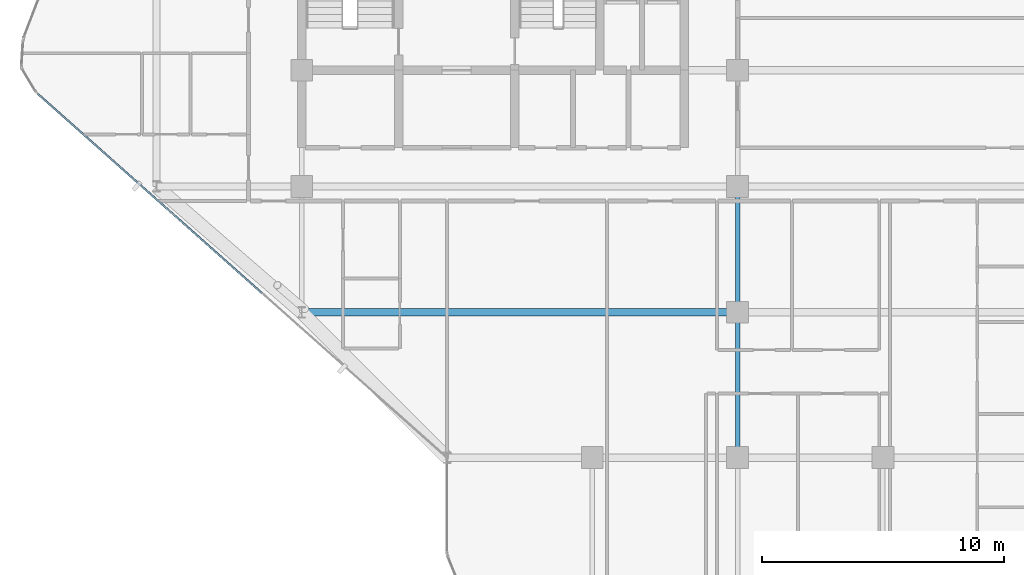
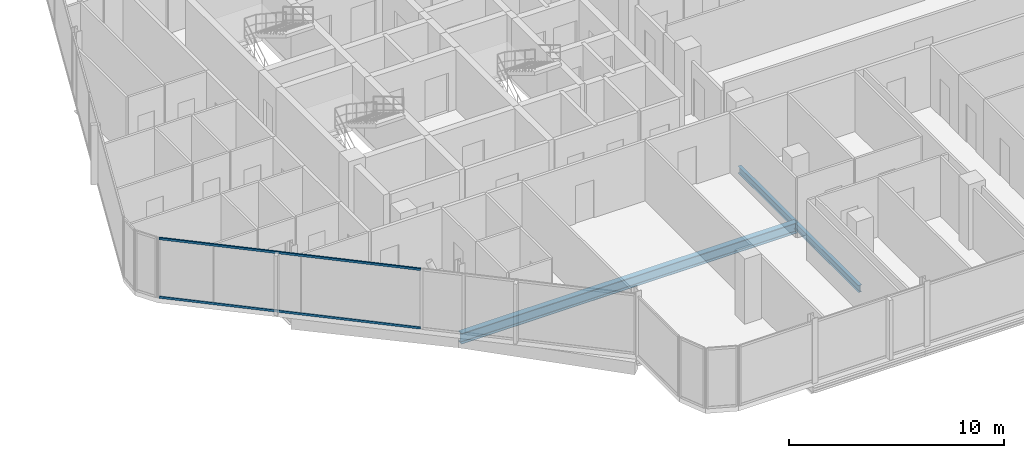
# One storey, part 7 of 29: 3 beams, 2 members, 1 element without a shape of its own.
"""IFC4 building model written with IfcOpenShell, lengths in metres."""

import ifcopenshell
import ifcopenshell.guid

model = None  # the IFC model being written
_history = None  # IfcOwnerHistory: only IFC2X3 demands one
_inside = {}  # id of a spatial element -> (the spatial element, [elements in it])
_under = {}  # id of a project, library or spatial element -> (it, [spatial elements below it])
_declared = {}  # id of a project -> (the project, [libraries it declares])
_typed = {}  # id of a type object -> (the type object, [elements of that type])
_made_of = {}  # id of a material, layer set ... -> (it, [elements and type objects made of it])


def new_model(schema):
    """Start an empty IFC model of exactly this schema.

    Asked for "IFC4X3", IfcOpenShell would pick the latest addendum, in which some entities
    have other attributes; the version numbers below select the first issue.
    IFC2X3 requires an IfcOwnerHistory on every rooted entity: one is made here for all.
    """
    global model, _history
    if schema == "IFC4X3":
        model = ifcopenshell.file(schema_version=(4, 3, 0, 0))
    else:
        model = ifcopenshell.file(schema=schema)
    _inside.clear()
    _under.clear()
    _declared.clear()
    _typed.clear()
    _made_of.clear()
    _history = None
    if model.schema == "IFC2X3":
        org = make("IfcOrganization", Name="unknown")
        user = make(
            "IfcPersonAndOrganization",
            ThePerson=make("IfcPerson", FamilyName="unknown"),
            TheOrganization=org,
        )
        app = make(
            "IfcApplication",
            ApplicationDeveloper=org,
            Version="unknown",
            ApplicationFullName="unknown",
            ApplicationIdentifier="unknown",
        )
        _history = make(
            "IfcOwnerHistory",
            OwningUser=user,
            OwningApplication=app,
            ChangeAction="ADDED",
            CreationDate=0,
        )
    return model


def make(cls, **values):
    """One entity of the class cls with the attributes given. An attribute that is None is left unset."""
    return model.create_entity(
        cls, **{name: value for name, value in values.items() if value is not None}
    )


def rooted(cls, **values):
    """An entity with a GlobalId (a new one), such as an element, a storey or a relation."""
    return make(cls, GlobalId=ifcopenshell.guid.new(), OwnerHistory=_history, **values)


def si_unit(unit_type, name, prefix=None):
    """IfcSIUnit, for example si_unit("LENGTHUNIT", "METRE", prefix="MILLI")."""
    return make("IfcSIUnit", UnitType=unit_type, Prefix=prefix, Name=name)


def assignment(units):
    """IfcUnitAssignment: the units of a project."""
    return None if units is None else make("IfcUnitAssignment", Units=units)


def point(xyz):
    """IfcCartesianPoint."""
    return None if xyz is None else make("IfcCartesianPoint", Coordinates=xyz)


def direction(xyz):
    """IfcDirection."""
    return None if xyz is None else make("IfcDirection", DirectionRatios=xyz)


def frame(location, z_axis=None, x_axis=None):
    """IfcAxis2Placement3D, a coordinate frame: its origin and axes. An axis left out is left unset."""
    return make(
        "IfcAxis2Placement3D",
        Location=point(location),
        Axis=direction(z_axis),
        RefDirection=direction(x_axis),
    )


def frame_2d(location, x_axis=None):
    """IfcAxis2Placement2D, a coordinate frame in the plane: its origin and x axis."""
    return make(
        "IfcAxis2Placement2D", Location=point(location), RefDirection=direction(x_axis)
    )


def origin():
    """The frame at (0, 0, 0) with its axes left unset."""
    return frame((0.0, 0.0, 0.0))


def origin_2d():
    """The frame at (0, 0) in the plane with its x axis left unset."""
    return frame_2d((0.0, 0.0))


def place(relative_to, where):
    """IfcLocalPlacement: puts the frame where relative to a parent placement (None: the world)."""
    return make(
        "IfcLocalPlacement", PlacementRelTo=relative_to, RelativePlacement=where
    )


def context(
    kind, dimensions, precision=None, world=None, true_north=None, identifier=None
):
    """IfcGeometricRepresentationContext, for example the 3D "Model" context."""
    return make(
        "IfcGeometricRepresentationContext",
        ContextIdentifier=identifier,
        ContextType=kind,
        CoordinateSpaceDimension=dimensions,
        Precision=precision,
        WorldCoordinateSystem=world,
        TrueNorth=true_north,
    )


def subcontext(parent, identifier, kind, view, scale=None):
    """IfcGeometricRepresentationSubContext, for example "Body" below "Model"."""
    return make(
        "IfcGeometricRepresentationSubContext",
        ContextIdentifier=identifier,
        ContextType=kind,
        ParentContext=parent,
        TargetScale=scale,
        TargetView=view,
    )


def project(units=None, contexts=None):
    """IfcProject with its units and contexts."""
    return rooted(
        "IfcProject",
        Name="project",
        RepresentationContexts=contexts,
        UnitsInContext=assignment(units),
    )


def spatial(cls, under=None, at=None, **own):
    """A site, building, storey or space (cls), placed at a placement, below another one or the project."""
    s = rooted(cls, ObjectPlacement=at, **own)
    if under is not None:
        _under.setdefault(under.id(), (under, []))[1].append(s)
    return s


def profile(cls, at=None, kind="AREA", **sizes):
    """A parametric profile (cls). Its sizes go by their IFC names, for example OverallWidth=200.0."""
    return make(cls, ProfileType=kind, Position=at, **sizes)


def hollow_rectangle(**sizes):
    """IfcRectangleHollowProfileDef."""
    return profile("IfcRectangleHollowProfileDef", **sizes)


def i_section(**sizes):
    """IfcIShapeProfileDef."""
    return profile("IfcIShapeProfileDef", **sizes)


def extrude(swept, where, along, depth):
    """IfcExtrudedAreaSolid: the profile swept, set in the frame where, extruded along a direction by depth."""
    return make(
        "IfcExtrudedAreaSolid",
        SweptArea=swept,
        Position=where,
        ExtrudedDirection=direction(along),
        Depth=depth,
    )


def shape(context_of_items, identifier, shape_type, items):
    """IfcShapeRepresentation: the items that make up one representation, for example the "Body"."""
    return make(
        "IfcShapeRepresentation",
        ContextOfItems=context_of_items,
        RepresentationIdentifier=identifier,
        RepresentationType=shape_type,
        Items=items,
    )


def material(Name=None, Category=None):
    """IfcMaterial."""
    return make("IfcMaterial", Name=Name, Category=Category)


def layer(
    of_material, thickness, ventilated=None, Name=None, Category=None, Priority=None
):
    """IfcMaterialLayer: one layer of a wall or slab, of a material (None: an air gap)."""
    return make(
        "IfcMaterialLayer",
        Material=of_material,
        LayerThickness=thickness,
        IsVentilated=ventilated,
        Name=Name,
        Category=Category,
        Priority=Priority,
    )


def layer_set(layers, Name=None):
    """IfcMaterialLayerSet."""
    return make("IfcMaterialLayerSet", MaterialLayers=layers, LayerSetName=Name)


def material_profile(
    of_material, cross_section, Name=None, Category=None, Priority=None
):
    """IfcMaterialProfile: a cross section and its material."""
    return make(
        "IfcMaterialProfile",
        Name=Name,
        Material=of_material,
        Profile=cross_section,
        Priority=Priority,
        Category=Category,
    )


def profile_set(profiles, Name=None, composite=None):
    """IfcMaterialProfileSet."""
    return make(
        "IfcMaterialProfileSet",
        Name=Name,
        MaterialProfiles=profiles,
        CompositeProfile=composite,
    )


def made_of(thing, what):
    """Note that an element or type object is made of a material, layer set ...; save() writes the relation."""
    if what is not None:
        _made_of.setdefault(what.id(), (what, []))[1].append(thing)
    return thing


def type_object(cls, material=None, **own):
    """A type object (cls), such as IfcWallType, which elements share."""
    return made_of(rooted(cls, **own), material)


def element(
    cls,
    number,
    at=None,
    inside=None,
    cuts=None,
    type_object=None,
    material=None,
    context=None,
    identifier="Body",
    shape_type=None,
    held_by="IfcProductDefinitionShape",
    body=None,
    shapes=None,
    **own,
):
    """One element of the class cls, such as IfcWall. Its Tag is "e" and its number.

    at: its placement. inside: the storey or other place that contains it. cuts: it is an
    opening in that element (IfcRelVoidsElement). A single representation is given by context,
    identifier, shape_type and body (its items); several are given by shapes. held_by: the class
    of the entity that holds the representations. save() writes the other relations.
    """
    e = rooted(cls, Tag="e%d" % number, ObjectPlacement=at, **own)
    if body is not None:
        shapes = [shape(context, identifier, shape_type, body)]
    if shapes is not None:
        e.Representation = make(held_by, Representations=shapes)
    if inside is not None:
        _inside.setdefault(inside.id(), (inside, []))[1].append(e)
    if cuts is not None:
        rooted(
            "IfcRelVoidsElement", RelatingBuildingElement=cuts, RelatedOpeningElement=e
        )
    if type_object is not None:
        _typed.setdefault(type_object.id(), (type_object, []))[1].append(e)
    return made_of(e, material)


def aggregate(whole, parts):
    """IfcRelAggregates: a whole, such as a stair, and the parts it consists of."""
    return rooted("IfcRelAggregates", RelatingObject=whole, RelatedObjects=parts)


def save(model, path):
    """Write the relations noted so far, then the file.

    IfcRelAggregates (storeys below a building ...), IfcRelContainedInSpatialStructure (elements
    in a storey), IfcRelDefinesByType, IfcRelAssociatesMaterial and IfcRelDeclares: one each for
    every whole, place, type object, material and project.
    """
    for whole, parts in _under.values():
        aggregate(whole, parts)
    for where, things in _inside.values():
        rooted(
            "IfcRelContainedInSpatialStructure",
            RelatedElements=things,
            RelatingStructure=where,
        )
    for kind, things in _typed.values():
        rooted("IfcRelDefinesByType", RelatedObjects=things, RelatingType=kind)
    for what, things in _made_of.values():
        rooted("IfcRelAssociatesMaterial", RelatedObjects=things, RelatingMaterial=what)
    for by, libraries in _declared.values():
        rooted("IfcRelDeclares", RelatingContext=by, RelatedDefinitions=libraries)
    model.write(path)


model = new_model("IFC4")

# Units and contexts
model_context = context("Model", 3, precision=1e-05, world=origin(), true_north=direction((0.0, 1.0)))
body_context = subcontext(model_context, "Body", "Model", "MODEL_VIEW")
ifc_project = project(units=[si_unit("LENGTHUNIT", "METRE"), si_unit("AREAUNIT", "SQUARE_METRE"), si_unit("VOLUMEUNIT", "CUBIC_METRE"), si_unit("PLANEANGLEUNIT", "RADIAN"), si_unit("MASSUNIT", "GRAM", prefix="KILO")], contexts=[model_context])

# Site, building, storey
site_placement = place(None, origin())
site = spatial("IfcSite", under=ifc_project, at=site_placement, CompositionType="ELEMENT")
building_placement = place(site_placement, origin())
building = spatial("IfcBuilding", under=site, at=building_placement, Name="Keshet Zoharim Tower", CompositionType="ELEMENT")
storey_placement = place(building_placement, frame((0.0, 0.0, 203.199951171875)))
storey = spatial("IfcBuildingStorey", under=building, at=storey_placement, Name="L50", CompositionType="ELEMENT", Elevation=203.199951171875)

# Beams
ifc_material_1 = material(Name="Steel S355", Category="steel")
ifc_material_profile_1 = material_profile(ifc_material_1, i_section(OverallWidth=0.300048828125, OverallDepth=0.60009765625, WebThickness=0.015380859375, FlangeThickness=0.030029296875, FilletRadius=0.027099609375, at=origin_2d()), Name="HEB600")
ifc_profile_set_1 = profile_set([ifc_material_profile_1], Name="Steel S355")
beam_type_1 = type_object("IfcBeamType", Name="BM-LNG-HB600", PredefinedType="BEAM", material=ifc_profile_set_1)
beam_1_placement = place(storey_placement, frame((15.0, 12.699951171875, -0.60986328125), z_axis=(1.0, 0.0, 0.0), x_axis=(0.0, 1.0, 0.0)))
element("IfcBeam", 1, at=beam_1_placement, inside=storey, type_object=beam_type_1, Name="L50 Primary Girder X-009", PredefinedType="BEAM", context=body_context, shape_type="SweptSolid", body=[
    extrude(i_section(OverallWidth=0.300048828125, OverallDepth=0.60009765625, WebThickness=0.015380859375, FlangeThickness=0.030029296875, FilletRadius=0.027099609375, at=origin_2d()), origin(), (0.0, 0.0, 1.0), 18.0),
])
ifc_material_profile_2 = material_profile(ifc_material_1, i_section(OverallWidth=0.179931640625, OverallDepth=0.39990234375, WebThickness=0.008544921875, FlangeThickness=0.013427734375, FilletRadius=0.02099609375, at=origin_2d()), Name="IPE400")
ifc_profile_set_2 = profile_set([ifc_material_profile_2], Name="Steel S355")
beam_type_2 = type_object("IfcBeamType", Name="BM-PRI-IP400", PredefinedType="BEAM", material=ifc_profile_set_2)
beam_2_placement = place(storey_placement, frame((33.0, 6.699951171875, -0.510009765625), z_axis=(0.0, 1.0, 0.0), x_axis=(-1.0, 0.0, 0.0)))
element("IfcBeam", 2, at=beam_2_placement, inside=storey, type_object=beam_type_2, Name="L50 Primary Girder Y-006", PredefinedType="BEAM", context=body_context, shape_type="SweptSolid", body=[
    extrude(i_section(OverallWidth=0.179931640625, OverallDepth=0.39990234375, WebThickness=0.008544921875, FlangeThickness=0.013427734375, FilletRadius=0.02099609375, at=origin_2d()), origin(), (0.0, 0.0, 1.0), 6.0),
])
beam_3_placement = place(storey_placement, frame((33.0, 12.699951171875, -0.510009765625), z_axis=(0.0, 1.0, 0.0), x_axis=(-1.0, 0.0, 0.0)))
element("IfcBeam", 3, at=beam_3_placement, inside=storey, type_object=beam_type_2, Name="L50 Primary Girder Y-007", PredefinedType="BEAM", context=body_context, shape_type="SweptSolid", body=[
    extrude(i_section(OverallWidth=0.179931640625, OverallDepth=0.39990234375, WebThickness=0.008544921875, FlangeThickness=0.013427734375, FilletRadius=0.02099609375, at=origin_2d()), origin(), (0.0, 0.0, 1.0), 5.199951171875),
])

# Curtain wall, members
ifc_material_2 = material(Name="Aluminium 6063-T6", Category="aluminium")
ifc_layer = layer(ifc_material_2, 0.139892578125)
ifc_layer_set = layer_set([ifc_layer], Name="Aluminium 6063-T6")
curtain_wall_type = type_object("IfcCurtainWallType", Name="CW-SYS-05", PredefinedType="NOTDEFINED", material=ifc_layer_set)
curtain_wall_placement = place(storey_placement, origin())
curtain_wall = element("IfcCurtainWall", 4, at=curtain_wall_placement, inside=storey, type_object=curtain_wall_type, Name="L50 Unitised Curtain Wall 10 Part 3", PredefinedType="NOTDEFINED")
ifc_material_profile_3 = material_profile(ifc_material_2, hollow_rectangle(XDim=0.074951171875, YDim=0.1201171875, WallThickness=0.00390625, at=origin_2d()), Name="TRN-75x120")
ifc_profile_set_3 = profile_set([ifc_material_profile_3], Name="Aluminium 6063-T6")
member_type = type_object("IfcMemberType", Name="CWT-T12", PredefinedType="USERDEFINED", material=ifc_profile_set_3)
member_1_placement = place(storey_placement, frame((13.3623046875, 13.489013671875, 0.03515625), z_axis=(-0.747408233231, 0.664365059962, 0.0), x_axis=(-0.664365059962, -0.747408233231, 0.0)))
member_1 = element("IfcMember", 5, at=member_1_placement, type_object=member_type, Name="CW-05 transom 1.1", ObjectType="TRANSOM", PredefinedType="USERDEFINED", context=body_context, shape_type="SweptSolid", body=[
    extrude(hollow_rectangle(XDim=0.074951171875, YDim=0.1201171875, WallThickness=0.00390625, at=origin_2d()), origin(), (0.0, 0.0, 1.0), 12.409423828125),
])
member_2_placement = place(storey_placement, frame((13.3623046875, 13.489013671875, 3.35498046875), z_axis=(-0.747408233231, 0.664365059962, 0.0), x_axis=(-0.664365059962, -0.747408233231, 0.0)))
member_2 = element("IfcMember", 6, at=member_2_placement, type_object=member_type, Name="CW-05 transom 1.2", ObjectType="TRANSOM", PredefinedType="USERDEFINED", context=body_context, shape_type="SweptSolid", body=[
    extrude(hollow_rectangle(XDim=0.074951171875, YDim=0.1201171875, WallThickness=0.00390625, at=origin_2d()), origin(), (0.0, 0.0, 1.0), 12.409423828125),
])
aggregate(curtain_wall, [member_1, member_2])

save(model, "model.ifc")
